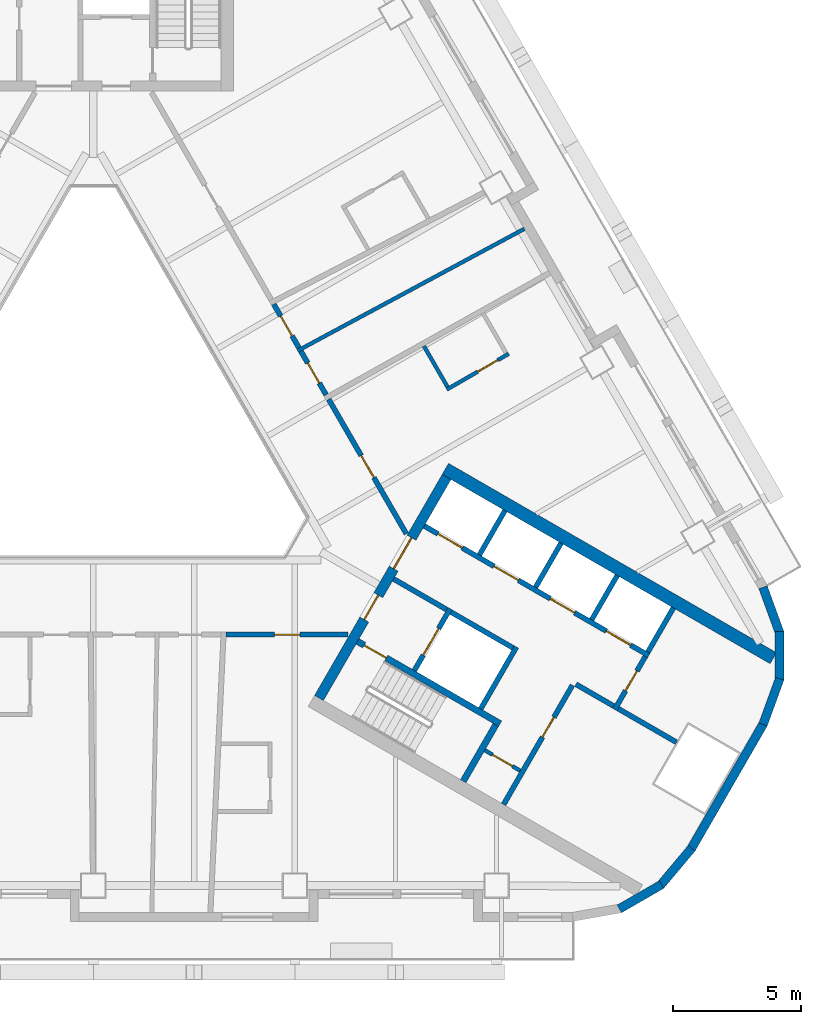
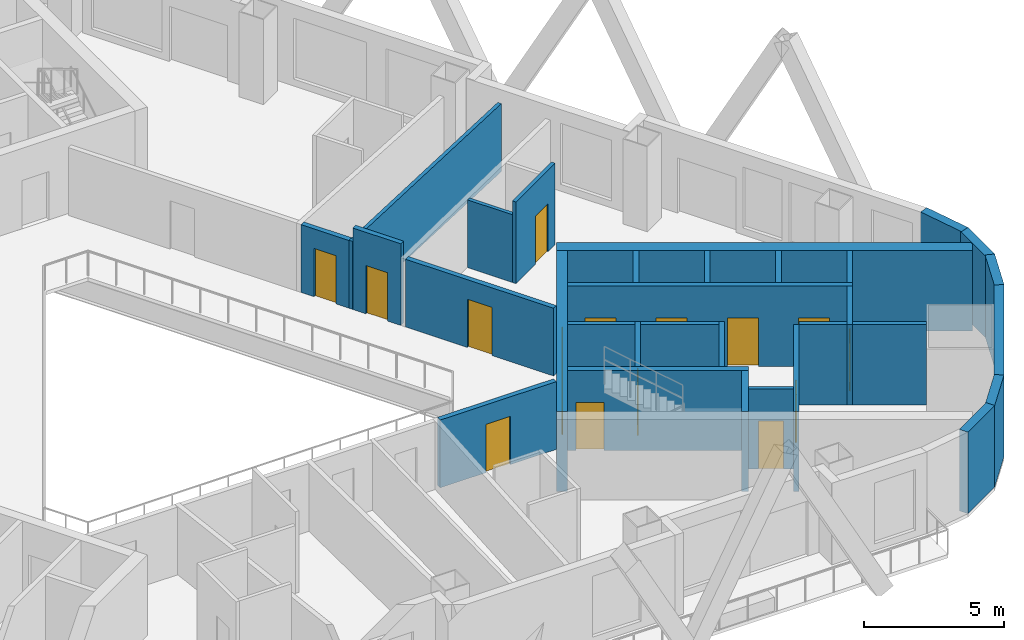
# One storey, part 5 of 14: 31 walls, 16 doors, 16 openings.
"""IFC4 building model written with IfcOpenShell, lengths in metres."""

from ifc_helpers import new_model, si_unit, direction, frame, frame_2d, origin, place, context, subcontext, project, spatial, rectangle, extrude, material, layer, layer_set, type_object, element, fill, save


model = new_model("IFC4")

# Units and contexts
model_context = context("Model", 3, precision=1e-05, world=origin(), true_north=direction((0.0, 1.0)))
body_context = subcontext(model_context, "Body", "Model", "MODEL_VIEW")
ifc_project = project(units=[si_unit("LENGTHUNIT", "METRE"), si_unit("AREAUNIT", "SQUARE_METRE"), si_unit("VOLUMEUNIT", "CUBIC_METRE"), si_unit("PLANEANGLEUNIT", "RADIAN"), si_unit("MASSUNIT", "GRAM", prefix="KILO")], contexts=[model_context])

# Site, building, storey
site_placement = place(None, origin())
site = spatial("IfcSite", under=ifc_project, at=site_placement, CompositionType="ELEMENT")
building_placement = place(site_placement, origin())
building = spatial("IfcBuilding", under=site, at=building_placement, Name="Apuvela Tower Hotel", CompositionType="ELEMENT")
storey_placement = place(building_placement, frame((0.0, 0.0, 76.10009765625)))
storey = spatial("IfcBuildingStorey", under=building, at=storey_placement, Name="L16", CompositionType="ELEMENT", Elevation=76.10009765625)

# Wall, openings, doors
ifc_material_1 = material(Name="Concrete C50/60", Category="concrete")
ifc_layer_1 = layer(ifc_material_1, 0.39990234375)
ifc_layer_set_1 = layer_set([ifc_layer_1], Name="COR-WALL-CORE-400")
wall_type_1 = type_object("IfcWallType", Name="COR-WALL-CORE-400", PredefinedType="SHEAR", material=ifc_layer_set_1)
wall_1_placement = place(storey_placement, frame((8.844970703125, -10.880126953125, 0.0), z_axis=(0.0, 0.0, 1.0), x_axis=(0.500004234368, 0.866022959057, 0.0)))
wall_1 = element("IfcWall", 1, at=wall_1_placement, inside=storey, type_object=wall_type_1, Name="Core wall SE", PredefinedType="SHEAR", context=body_context, shape_type="SweptSolid", body=[
    extrude(rectangle(XDim=10.0, YDim=0.39990234375, at=frame_2d((5.0, 0.0))), origin(), (0.0, 0.0, 1.0), 3.5),
])
opening_1_placement = place(wall_1_placement, frame((3.550048828125, 0.0, 0.0)))
opening_1 = element("IfcOpeningElement", 2, at=opening_1_placement, cuts=wall_1, Name="Opening E-FD", PredefinedType="OPENING", context=body_context, shape_type="SweptSolid", body=[
    extrude(rectangle(XDim=1.10009765625, YDim=2.10009765625, at=frame_2d((0.550048828125, 1.050048828125))), frame((0.0, 0.2099609375, 0.0), z_axis=(0.0, -1.0, 0.0), x_axis=(1.0, 0.0, 0.0)), (0.0, 0.0, 1.0), 0.419921875),
])
opening_2_placement = place(wall_1_placement, frame((5.85009765625, 0.0, 0.0)))
opening_2 = element("IfcOpeningElement", 3, at=opening_2_placement, cuts=wall_1, Name="Opening E-GD", PredefinedType="OPENING", context=body_context, shape_type="SweptSolid", body=[
    extrude(rectangle(XDim=1.39990234375, YDim=2.10009765625, at=frame_2d((0.699951171875, 1.050048828125))), frame((0.0, 0.2099609375, 0.0), z_axis=(0.0, -1.0, 0.0), x_axis=(1.0, 0.0, 0.0)), (0.0, 0.0, 1.0), 0.419921875),
])
ifc_material_2 = material(Name="Steel fire door, powder coated", Category="steel")
door_type_1 = type_object("IfcDoorType", Name="COR-FD-1100", OperationType="NOTDEFINED", PredefinedType="DOOR", material=ifc_material_2)
door_1_placement = place(opening_1_placement, frame((1.10009765625, 0.0, 0.0), z_axis=(0.0, 0.0, 1.0), x_axis=(-1.0, 0.0, 0.0)))
door_1 = element("IfcDoor", 4, at=door_1_placement, inside=storey, type_object=door_type_1, Name="Firefighting lobby door E-FD", OperationType="SINGLE_SWING_LEFT", OverallHeight=2.10009765625, OverallWidth=1.10009765625, PredefinedType="DOOR", context=body_context, shape_type="SweptSolid", body=[
    extrude(rectangle(XDim=1.10009765625, YDim=2.10009765625, at=frame_2d((0.550048828125, 1.050048828125))), frame((0.0, 0.02490234375, 0.0), z_axis=(0.0, -1.0, 0.0), x_axis=(1.0, 0.0, 0.0)), (0.0, 0.0, 1.0), 0.050048828125),
])
fill(opening_1, door_1)
ifc_material_3 = material(Name="Glazed steel fire door", Category="steel")
door_type_2 = type_object("IfcDoorType", Name="COR-GD-1400", OperationType="DOUBLE_DOOR_SINGLE_SWING", PredefinedType="DOOR", material=ifc_material_3)
door_2_placement = place(opening_2_placement, frame((1.39990234375, 0.0, 0.0), z_axis=(0.0, 0.0, 1.0), x_axis=(-1.0, 0.0, 0.0)))
door_2 = element("IfcDoor", 5, at=door_2_placement, inside=storey, type_object=door_type_2, Name="Lift lobby door E-GD", OperationType="DOUBLE_DOOR_SINGLE_SWING", OverallHeight=2.10009765625, OverallWidth=1.39990234375, PredefinedType="DOOR", context=body_context, shape_type="SweptSolid", body=[
    extrude(rectangle(XDim=1.39990234375, YDim=2.10009765625, at=frame_2d((0.699951171875, 1.050048828125))), frame((0.0, 0.02490234375, 0.0), z_axis=(0.0, -1.0, 0.0), x_axis=(1.0, 0.0, 0.0)), (0.0, 0.0, 1.0), 0.050048828125),
])
fill(opening_2, door_2)

# Wall
ifc_layer_2 = layer(ifc_material_1, 0.5)
ifc_layer_set_2 = layer_set([ifc_layer_2], Name="COR-WALL-CORE-500")
wall_type_2 = type_object("IfcWallType", Name="COR-WALL-CORE-500", PredefinedType="SHEAR", material=ifc_layer_set_2)
wall_2_placement = place(storey_placement, frame((13.796630859375, -1.9033203125, 0.0), z_axis=(0.0, 0.0, 1.0), x_axis=(0.866025009528, -0.500000682871, 0.0)))
element("IfcWall", 6, at=wall_2_placement, inside=storey, type_object=wall_type_2, Name="Core wall SE", PredefinedType="SHEAR", context=body_context, shape_type="SweptSolid", body=[
    extrude(rectangle(XDim=14.8369140625, YDim=0.5, at=frame_2d((7.41845703125, 0.0))), origin(), (0.0, 0.0, 1.0), 3.5),
])

# Wall, opening, door
ifc_material_4 = material(Name="Blockwork 150 mm plastered", Category="masonry")
ifc_layer_3 = layer(ifc_material_4, 0.14990234375)
ifc_layer_set_3 = layer_set([ifc_layer_3], Name="COR-WALL-PART-150")
wall_type_3 = type_object("IfcWallType", Name="COR-WALL-PART-150", PredefinedType="PARTITIONING", material=ifc_layer_set_3)
wall_3_placement = place(storey_placement, frame((15.341552734375, -12.927734375, 0.0), z_axis=(0.0, 0.0, 1.0), x_axis=(0.865989903783, -0.500061482766, 0.0)))
wall_3 = element("IfcWall", 7, at=wall_3_placement, inside=storey, type_object=wall_type_3, Name="Partition SE", PredefinedType="PARTITIONING", context=body_context, shape_type="SweptSolid", body=[
    extrude(rectangle(XDim=1.599853515625, YDim=0.14990234375, at=frame_2d((0.7998046875, 0.0))), origin(), (0.0, 0.0, 1.0), 3.5),
])
opening_3_placement = place(wall_3_placement, frame((0.35009765625, 0.0, 0.0)))
opening_3 = element("IfcOpeningElement", 8, at=opening_3_placement, cuts=wall_3, Name="Opening E-RD", PredefinedType="OPENING", context=body_context, shape_type="SweptSolid", body=[
    extrude(rectangle(XDim=0.89990234375, YDim=2.10009765625, at=frame_2d((0.449951171875, 1.050048828125))), frame((0.0, 0.0849609375, 0.0), z_axis=(0.0, -1.0, 0.0), x_axis=(1.0, 0.0, 0.0)), (0.0, 0.0, 1.0), 0.169921875),
])
ifc_material_5 = material(Name="Steel access door, powder coated", Category="steel")
door_type_3 = type_object("IfcDoorType", Name="COR-RD-900", OperationType="NOTDEFINED", PredefinedType="DOOR", material=ifc_material_5)
door_3_placement = place(opening_3_placement, frame((0.89990234375, 0.0, 0.0), z_axis=(0.0, 0.0, 1.0), x_axis=(-1.0, 0.0, 0.0)))
door_3 = element("IfcDoor", 9, at=door_3_placement, inside=storey, type_object=door_type_3, Name="Riser door E-RD", OperationType="SINGLE_SWING_LEFT", OverallHeight=2.10009765625, OverallWidth=0.89990234375, PredefinedType="DOOR", context=body_context, shape_type="SweptSolid", body=[
    extrude(rectangle(XDim=0.89990234375, YDim=2.10009765625, at=frame_2d((0.449951171875, 1.050048828125))), frame((0.0, 0.02490234375, 0.0), z_axis=(0.0, -1.0, 0.0), x_axis=(1.0, 0.0, 0.0)), (0.0, 0.0, 1.0), 0.050048828125),
])
fill(opening_3, door_3)

ifc_material_6 = material(Name="Blockwork 200 mm plastered", Category="masonry")
ifc_layer_4 = layer(ifc_material_6, 0.199951171875)
ifc_layer_set_4 = layer_set([ifc_layer_4], Name="COR-WALL-PART-200")
wall_type_4 = type_object("IfcWallType", Name="COR-WALL-PART-200", PredefinedType="PARTITIONING", material=ifc_layer_set_4)
wall_4_placement = place(storey_placement, frame((16.076171875, -15.05517578125, 0.0), z_axis=(0.0, 0.0, 1.0), x_axis=(0.499995103361, 0.866028230842, 0.0)))
wall_4 = element("IfcWall", 10, at=wall_4_placement, inside=storey, type_object=wall_type_4, Name="Partition SE", PredefinedType="PARTITIONING", context=body_context, shape_type="SweptSolid", body=[
    extrude(rectangle(XDim=5.39990234375, YDim=0.199951171875, at=frame_2d((2.699951171875, 0.0))), origin(), (0.0, 0.0, 1.0), 3.5),
])
opening_4_placement = place(wall_4_placement, frame((3.050048828125, 0.0, 0.0)))
opening_4 = element("IfcOpeningElement", 11, at=opening_4_placement, cuts=wall_4, Name="Opening E-RS1", PredefinedType="OPENING", context=body_context, shape_type="SweptSolid", body=[
    extrude(rectangle(XDim=0.89990234375, YDim=2.10009765625, at=frame_2d((0.449951171875, 1.050048828125))), frame((0.0, 0.10986328125, 0.0), z_axis=(0.0, -1.0, 0.0), x_axis=(1.0, 0.0, 0.0)), (0.0, 0.0, 1.0), 0.219970703125),
])
door_type_4 = type_object("IfcDoorType", Name="COR-DR-900", OperationType="NOTDEFINED", PredefinedType="DOOR", material=ifc_material_2)
door_4_placement = place(opening_4_placement, frame((0.89990234375, 0.0, 0.0), z_axis=(0.0, 0.0, 1.0), x_axis=(-1.0, 0.0, 0.0)))
door_4 = element("IfcDoor", 12, at=door_4_placement, inside=storey, type_object=door_type_4, Name="Store door E-RS1", OperationType="SINGLE_SWING_LEFT", OverallHeight=2.10009765625, OverallWidth=0.89990234375, PredefinedType="DOOR", context=body_context, shape_type="SweptSolid", body=[
    extrude(rectangle(XDim=0.89990234375, YDim=2.10009765625, at=frame_2d((0.449951171875, 1.050048828125))), frame((0.0, 0.02490234375, 0.0), z_axis=(0.0, -1.0, 0.0), x_axis=(1.0, 0.0, 0.0)), (0.0, 0.0, 1.0), 0.050048828125),
])
fill(opening_4, door_4)

# Wall
ifc_layer_5 = layer(ifc_material_1, 0.199951171875)
ifc_layer_set_5 = layer_set([ifc_layer_5], Name="COR-WALL-SHAFT-200")
wall_type_5 = type_object("IfcWallType", Name="COR-WALL-SHAFT-200", PredefinedType="SHEAR", material=ifc_layer_set_5)
wall_5_placement = place(storey_placement, frame((15.181396484375, -11.305419921875, 0.0), z_axis=(0.0, 0.0, 1.0), x_axis=(0.49994636267, 0.866056369097, 0.0)))
element("IfcWall", 13, at=wall_5_placement, inside=storey, type_object=wall_type_5, Name="Shaft wall SE", PredefinedType="SHEAR", context=body_context, shape_type="SweptSolid", body=[
    extrude(rectangle(XDim=2.800048828125, YDim=0.199951171875, at=frame_2d((1.39990234375, 0.0))), origin(), (0.0, 0.0, 1.0), 3.5),
])

# Wall, opening, door
wall_6_placement = place(storey_placement, frame((12.583251953125, -9.805419921875, 0.0), z_axis=(0.0, 0.0, 1.0), x_axis=(0.49994636267, 0.866056369097, 0.0)))
wall_6 = element("IfcWall", 14, at=wall_6_placement, inside=storey, type_object=wall_type_5, Name="Shaft wall SE", PredefinedType="SHEAR", context=body_context, shape_type="SweptSolid", body=[
    extrude(rectangle(XDim=2.800048828125, YDim=0.199951171875, at=frame_2d((1.39990234375, 0.0))), origin(), (0.0, 0.0, 1.0), 3.5),
])
opening_5_placement = place(wall_6_placement, frame((0.699951171875, 0.0, 0.0)))
opening_5 = element("IfcOpeningElement", 15, at=opening_5_placement, cuts=wall_6, Name="Opening E-LD-FS3", PredefinedType="OPENING", context=body_context, shape_type="SweptSolid", body=[
    extrude(rectangle(XDim=1.199951171875, YDim=2.10009765625, at=frame_2d((0.60009765625, 1.050048828125))), frame((0.0, 0.10986328125, 0.0), z_axis=(0.0, -1.0, 0.0), x_axis=(1.0, 0.0, 0.0)), (0.0, 0.0, 1.0), 0.219970703125),
])
ifc_material_7 = material(Name="Stainless steel lift landing door", Category="steel")
door_type_5 = type_object("IfcDoorType", Name="COR-LD-1200", OperationType="DOUBLE_DOOR_SLIDING", PredefinedType="DOOR", material=ifc_material_7)
door_5_placement = place(opening_5_placement, origin())
door_5 = element("IfcDoor", 16, at=door_5_placement, inside=storey, type_object=door_type_5, Name="Lift landing door E-LD-FS3", OperationType="DOUBLE_DOOR_SLIDING", OverallHeight=2.10009765625, OverallWidth=1.199951171875, PredefinedType="DOOR", context=body_context, shape_type="SweptSolid", body=[
    extrude(rectangle(XDim=1.199951171875, YDim=2.10009765625, at=frame_2d((0.60009765625, 1.050048828125))), frame((0.0, 0.02490234375, 0.0), z_axis=(0.0, -1.0, 0.0), x_axis=(1.0, 0.0, 0.0)), (0.0, 0.0, 1.0), 0.050048828125),
])
fill(opening_5, door_5)

# Walls
wall_7_placement = place(storey_placement, frame((11.76806640625, -6.217041015625, 0.0), z_axis=(0.0, 0.0, 1.0), x_axis=(0.866050077142, -0.499957262057, 0.0)))
element("IfcWall", 17, at=wall_7_placement, inside=storey, type_object=wall_type_5, Name="Shaft wall SE", PredefinedType="SHEAR", context=body_context, shape_type="SweptSolid", body=[
    extrude(rectangle(XDim=2.400146484375, YDim=0.199951171875, at=frame_2d((1.2001953125, 0.0))), origin(), (0.0, 0.0, 1.0), 3.5),
])
wall_8_placement = place(storey_placement, frame((14.019775390625, -7.51708984375, 0.0), z_axis=(0.0, 0.0, 1.0), x_axis=(0.866034573852, -0.49998411664, 0.0)))
element("IfcWall", 18, at=wall_8_placement, inside=storey, type_object=wall_type_5, Name="Shaft wall SE", PredefinedType="SHEAR", context=body_context, shape_type="SweptSolid", body=[
    extrude(rectangle(XDim=2.7998046875, YDim=0.199951171875, at=frame_2d((1.39990234375, 0.0))), origin(), (0.0, 0.0, 1.0), 3.5),
])

# Wall, openings, doors
wall_9_placement = place(storey_placement, frame((12.968017578125, -4.138427734375, 0.0), z_axis=(0.0, 0.0, 1.0), x_axis=(0.866028328073, -0.49999493495, 0.0)))
wall_9 = element("IfcWall", 19, at=wall_9_placement, inside=storey, type_object=wall_type_5, Name="Shaft wall SE", PredefinedType="SHEAR", context=body_context, shape_type="SweptSolid", body=[
    extrude(rectangle(XDim=10.16015625, YDim=0.199951171875, at=frame_2d((5.080078125, 0.0))), origin(), (0.0, 0.0, 1.0), 3.5),
])
opening_6_placement = place(wall_9_placement, frame((0.6201171875, 0.0, 0.0)))
opening_6 = element("IfcOpeningElement", 20, at=opening_6_placement, cuts=wall_9, Name="Opening E-LD-LR1", PredefinedType="OPENING", context=body_context, shape_type="SweptSolid", body=[
    extrude(rectangle(XDim=1.10009765625, YDim=2.10009765625, at=frame_2d((0.550048828125, 1.050048828125))), frame((0.0, 0.10986328125, 0.0), z_axis=(0.0, -1.0, 0.0), x_axis=(1.0, 0.0, 0.0)), (0.0, 0.0, 1.0), 0.219970703125),
])
opening_7_placement = place(wall_9_placement, frame((3.159912109375, 0.0, 0.0)))
opening_7 = element("IfcOpeningElement", 21, at=opening_7_placement, cuts=wall_9, Name="Opening E-LD-LR2", PredefinedType="OPENING", context=body_context, shape_type="SweptSolid", body=[
    extrude(rectangle(XDim=1.10009765625, YDim=2.10009765625, at=frame_2d((0.550048828125, 1.050048828125))), frame((0.0, 0.10986328125, 0.0), z_axis=(0.0, -1.0, 0.0), x_axis=(1.0, 0.0, 0.0)), (0.0, 0.0, 1.0), 0.219970703125),
])
opening_8_placement = place(wall_9_placement, frame((5.699951171875, 0.0, 0.0)))
opening_8 = element("IfcOpeningElement", 22, at=opening_8_placement, cuts=wall_9, Name="Opening E-LD-LR3", PredefinedType="OPENING", context=body_context, shape_type="SweptSolid", body=[
    extrude(rectangle(XDim=1.10009765625, YDim=2.10009765625, at=frame_2d((0.550048828125, 1.050048828125))), frame((0.0, 0.10986328125, 0.0), z_axis=(0.0, -1.0, 0.0), x_axis=(1.0, 0.0, 0.0)), (0.0, 0.0, 1.0), 0.219970703125),
])
opening_9_placement = place(wall_9_placement, frame((8.239990234375, 0.0, 0.0)))
opening_9 = element("IfcOpeningElement", 23, at=opening_9_placement, cuts=wall_9, Name="Opening E-LD-LR4", PredefinedType="OPENING", context=body_context, shape_type="SweptSolid", body=[
    extrude(rectangle(XDim=1.10009765625, YDim=2.10009765625, at=frame_2d((0.550048828125, 1.050048828125))), frame((0.0, 0.10986328125, 0.0), z_axis=(0.0, -1.0, 0.0), x_axis=(1.0, 0.0, 0.0)), (0.0, 0.0, 1.0), 0.219970703125),
])
door_type_6 = type_object("IfcDoorType", Name="COR-LD-1100", OperationType="DOUBLE_DOOR_SLIDING", PredefinedType="DOOR", material=ifc_material_7)
door_6_placement = place(opening_6_placement, origin())
door_6 = element("IfcDoor", 24, at=door_6_placement, inside=storey, type_object=door_type_6, Name="Lift landing door E-LD-LR1", OperationType="DOUBLE_DOOR_SLIDING", OverallHeight=2.10009765625, OverallWidth=1.10009765625, PredefinedType="DOOR", context=body_context, shape_type="SweptSolid", body=[
    extrude(rectangle(XDim=1.10009765625, YDim=2.10009765625, at=frame_2d((0.550048828125, 1.050048828125))), frame((0.0, 0.02490234375, 0.0), z_axis=(0.0, -1.0, 0.0), x_axis=(1.0, 0.0, 0.0)), (0.0, 0.0, 1.0), 0.050048828125),
])
fill(opening_6, door_6)
door_7_placement = place(opening_7_placement, origin())
door_7 = element("IfcDoor", 25, at=door_7_placement, inside=storey, type_object=door_type_6, Name="Lift landing door E-LD-LR2", OperationType="DOUBLE_DOOR_SLIDING", OverallHeight=2.10009765625, OverallWidth=1.10009765625, PredefinedType="DOOR", context=body_context, shape_type="SweptSolid", body=[
    extrude(rectangle(XDim=1.10009765625, YDim=2.10009765625, at=frame_2d((0.550048828125, 1.050048828125))), frame((0.0, 0.02490234375, 0.0), z_axis=(0.0, -1.0, 0.0), x_axis=(1.0, 0.0, 0.0)), (0.0, 0.0, 1.0), 0.050048828125),
])
fill(opening_7, door_7)
door_8_placement = place(opening_8_placement, origin())
door_8 = element("IfcDoor", 26, at=door_8_placement, inside=storey, type_object=door_type_6, Name="Lift landing door E-LD-LR3", OperationType="DOUBLE_DOOR_SLIDING", OverallHeight=2.10009765625, OverallWidth=1.10009765625, PredefinedType="DOOR", context=body_context, shape_type="SweptSolid", body=[
    extrude(rectangle(XDim=1.10009765625, YDim=2.10009765625, at=frame_2d((0.550048828125, 1.050048828125))), frame((0.0, 0.02490234375, 0.0), z_axis=(0.0, -1.0, 0.0), x_axis=(1.0, 0.0, 0.0)), (0.0, 0.0, 1.0), 0.050048828125),
])
fill(opening_8, door_8)
door_9_placement = place(opening_9_placement, origin())
door_9 = element("IfcDoor", 27, at=door_9_placement, inside=storey, type_object=door_type_6, Name="Lift landing door E-LD-LR4", OperationType="DOUBLE_DOOR_SLIDING", OverallHeight=2.10009765625, OverallWidth=1.10009765625, PredefinedType="DOOR", context=body_context, shape_type="SweptSolid", body=[
    extrude(rectangle(XDim=1.10009765625, YDim=2.10009765625, at=frame_2d((0.550048828125, 1.050048828125))), frame((0.0, 0.02490234375, 0.0), z_axis=(0.0, -1.0, 0.0), x_axis=(1.0, 0.0, 0.0)), (0.0, 0.0, 1.0), 0.050048828125),
])
fill(opening_9, door_9)

# Wall, opening, door
wall_10_placement = place(storey_placement, frame((20.430419921875, -11.33349609375, 0.0), z_axis=(0.0, 0.0, 1.0), x_axis=(0.500001309137, 0.866024647952, 0.0)))
wall_10 = element("IfcWall", 28, at=wall_10_placement, inside=storey, type_object=wall_type_5, Name="Shaft wall SE", PredefinedType="SHEAR", context=body_context, shape_type="SweptSolid", body=[
    extrude(rectangle(XDim=2.39990234375, YDim=0.199951171875, at=frame_2d((1.199951171875, 0.0))), origin(), (0.0, 0.0, 1.0), 3.5),
])
opening_10_placement = place(wall_10_placement, frame((0.85009765625, 0.0, 0.0)))
opening_10 = element("IfcOpeningElement", 29, at=opening_10_placement, cuts=wall_10, Name="Opening E-REP", PredefinedType="OPENING", context=body_context, shape_type="SweptSolid", body=[
    extrude(rectangle(XDim=0.89990234375, YDim=2.10009765625, at=frame_2d((0.449951171875, 1.050048828125))), frame((0.0, 0.10986328125, 0.0), z_axis=(0.0, -1.0, 0.0), x_axis=(1.0, 0.0, 0.0)), (0.0, 0.0, 1.0), 0.219970703125),
])
door_10_placement = place(opening_10_placement, frame((0.89990234375, 0.0, 0.0), z_axis=(0.0, 0.0, 1.0), x_axis=(-1.0, 0.0, 0.0)))
door_10 = element("IfcDoor", 30, at=door_10_placement, inside=storey, type_object=door_type_4, Name="Store door E-REP", OperationType="SINGLE_SWING_RIGHT", OverallHeight=2.10009765625, OverallWidth=0.89990234375, PredefinedType="DOOR", context=body_context, shape_type="SweptSolid", body=[
    extrude(rectangle(XDim=0.89990234375, YDim=2.10009765625, at=frame_2d((0.449951171875, 1.050048828125))), frame((0.0, 0.02490234375, 0.0), z_axis=(0.0, -1.0, 0.0), x_axis=(1.0, 0.0, 0.0)), (0.0, 0.0, 1.0), 0.050048828125),
])
fill(opening_10, door_10)

# Walls
wall_11_placement = place(storey_placement, frame((18.912841796875, -10.342041015625, 0.0), z_axis=(0.0, 0.0, 1.0), x_axis=(0.866038183914, -0.499977863513, 0.0)))
element("IfcWall", 31, at=wall_11_placement, inside=storey, type_object=wall_type_5, Name="Shaft wall SE", PredefinedType="SHEAR", context=body_context, shape_type="SweptSolid", body=[
    extrude(rectangle(XDim=1.7099609375, YDim=0.199951171875, at=frame_2d((0.85498046875, 0.0))), origin(), (0.0, 0.0, 1.0), 3.5),
])
for number, where, z_axis, x_axis, name in (
    (32, (15.131103515625, -5.27197265625, 0.0), (0.0, 0.0, 1.0), (0.499972520799, 0.866041268327, 0.0), "Shaft wall SE"),
    (33, (17.330810546875, -6.5419921875, 0.0), (0.0, 0.0, 1.0), (0.499972520799, 0.866041268327, 0.0), "Shaft wall SE"),
    (34, (19.530517578125, -7.81201171875, 0.0), (0.0, 0.0, 1.0), (0.499972520799, 0.866041268327, 0.0), "Shaft wall SE"),
    (35, (21.73046875, -9.081787109375, 0.0), (0.0, 0.0, 1.0), (0.50002537861, 0.866010750942, 0.0), "Shaft wall SE"),
):
    element("IfcWall", number, at=place(storey_placement, frame(where, z_axis=z_axis, x_axis=x_axis)), inside=storey, type_object=wall_type_5, Name=name, PredefinedType="SHEAR", context=body_context, shape_type="SweptSolid", body=[
        extrude(rectangle(XDim=2.0, YDim=0.199951171875, at=frame_2d((1.0, 0.0))), origin(), (0.0, 0.0, 1.0), 3.5),
    ])
wall_12_placement = place(storey_placement, frame((20.56689453125, -11.297119140625, 0.0), z_axis=(0.0, 0.0, 1.0), x_axis=(0.866060851709, -0.499938597367, 0.0)))
element("IfcWall", 36, at=wall_12_placement, inside=storey, type_object=wall_type_5, Name="Shaft wall SE", PredefinedType="SHEAR", context=body_context, shape_type="SweptSolid", body=[
    extrude(rectangle(XDim=2.639892578125, YDim=0.199951171875, at=frame_2d((1.31982421875, 0.0))), origin(), (0.0, 0.0, 1.0), 3.5),
])

# Wall, opening, door
ifc_layer_6 = layer(ifc_material_1, 0.25)
ifc_layer_set_6 = layer_set([ifc_layer_6], Name="COR-WALL-STAIR-250")
wall_type_6 = type_object("IfcWallType", Name="COR-WALL-STAIR-250", PredefinedType="SHEAR", material=ifc_layer_set_6)
wall_13_placement = place(storey_placement, frame((10.355712890625, -8.66357421875, 0.0), z_axis=(0.0, 0.0, 1.0), x_axis=(0.866028629588, -0.499994412703, 0.0)))
wall_13 = element("IfcWall", 37, at=wall_13_placement, inside=storey, type_object=wall_type_6, Name="Stair wall SE", PredefinedType="SHEAR", context=body_context, shape_type="SweptSolid", body=[
    extrude(rectangle(XDim=6.44970703125, YDim=0.25, at=frame_2d((3.224853515625, 0.0))), origin(), (0.0, 0.0, 1.0), 3.5),
])
opening_11_placement = place(wall_13_placement, frame((0.300048828125, 0.0, 0.0)))
opening_11 = element("IfcOpeningElement", 38, at=opening_11_placement, cuts=wall_13, Name="Opening E-SD", PredefinedType="OPENING", context=body_context, shape_type="SweptSolid", body=[
    extrude(rectangle(XDim=1.0, YDim=2.10009765625, at=frame_2d((0.5, 1.050048828125))), frame((0.0, 0.135009765625, 0.0), z_axis=(0.0, -1.0, 0.0), x_axis=(1.0, 0.0, 0.0)), (0.0, 0.0, 1.0), 0.27001953125),
])
door_type_7 = type_object("IfcDoorType", Name="COR-SD-1000", OperationType="NOTDEFINED", PredefinedType="DOOR", material=ifc_material_2)
door_11_placement = place(opening_11_placement, frame((1.0, 0.0, 0.0), z_axis=(0.0, 0.0, 1.0), x_axis=(-1.0, 0.0, 0.0)))
door_11 = element("IfcDoor", 39, at=door_11_placement, inside=storey, type_object=door_type_7, Name="Stair door E-SD", OperationType="SINGLE_SWING_LEFT", OverallHeight=2.10009765625, OverallWidth=1.0, PredefinedType="DOOR", context=body_context, shape_type="SweptSolid", body=[
    extrude(rectangle(XDim=1.0, YDim=2.10009765625, at=frame_2d((0.5, 1.050048828125))), frame((0.0, 0.02490234375, 0.0), z_axis=(0.0, -1.0, 0.0), x_axis=(1.0, 0.0, 0.0)), (0.0, 0.0, 1.0), 0.050048828125),
])
fill(opening_11, door_11)

# Walls
wall_14_placement = place(storey_placement, frame((14.49560546875, -14.142578125, 0.0), z_axis=(0.0, 0.0, 1.0), x_axis=(0.500062241894, 0.865989465428, 0.0)))
element("IfcWall", 40, at=wall_14_placement, inside=storey, type_object=wall_type_6, Name="Stair wall SE", PredefinedType="SHEAR", context=body_context, shape_type="SweptSolid", body=[
    extrude(rectangle(XDim=2.550048828125, YDim=0.25, at=frame_2d((1.27490234375, 0.0))), origin(), (0.0, 0.0, 1.0), 3.5),
])
ifc_material_8 = material(Name="Concrete C40/50, dark pigmented precast panel", Category="concrete")
ifc_layer_7 = layer(ifc_material_8, 0.35009765625)
ifc_layer_set_7 = layer_set([ifc_layer_7], Name="ENV-WALL-350")
wall_type_7 = type_object("IfcWallType", Name="ENV-WALL-350", PredefinedType="SOLIDWALL", material=ifc_layer_set_7)
for number, where, z_axis, x_axis, name in (
    (41, (20.609619140625, -19.146728515625, 0.0), (0.0, 0.0, 1.0), (0.866000389056, 0.500043324278, 0.0), "External wall L16-27"),
    (42, (22.21728515625, -18.230712890625, 0.0), (0.0, 0.0, 1.0), (0.642733291068, 0.76609001857, 0.0), "External wall L16-28"),
):
    element("IfcWall", number, at=place(storey_placement, frame(where, z_axis=z_axis, x_axis=x_axis)), inside=storey, type_object=wall_type_7, Name=name, PredefinedType="SOLIDWALL", context=body_context, shape_type="SweptSolid", body=[
        extrude(rectangle(XDim=1.909912109375, YDim=0.35009765625, at=frame_2d((0.955078125, 0.0))), origin(), (0.0, 0.0, 1.0), 3.5498046875),
    ])
wall_15_placement = place(storey_placement, frame((23.427490234375, -16.79248046875, 0.0), z_axis=(0.0, 0.0, 1.0), x_axis=(0.500018773155, 0.866014564827, 0.0)))
element("IfcWall", 43, at=wall_15_placement, inside=storey, type_object=wall_type_7, Name="External wall L16-29", PredefinedType="SOLIDWALL", context=body_context, shape_type="SweptSolid", body=[
    extrude(rectangle(XDim=5.657958984375, YDim=0.35009765625, at=frame_2d((2.8291015625, 0.0))), origin(), (0.0, 0.0, 1.0), 3.5498046875),
])
for number, where, z_axis, x_axis, name in (
    (44, (26.24365234375, -11.920166015625, 0.0), (0.0, 0.0, 1.0), (0.342030395486, 0.939688889242, 0.0), "External wall L16-30"),
    (45, (26.88623046875, -10.18505859375, 0.0), (0.0, 0.0, 1.0), (0.0, 1.0, 0.0), "External wall L16-31"),
    (46, (26.89697265625, -8.334716796875, 0.0), (0.0, 0.0, 1.0), (-0.342030395486, 0.939688889242, 0.0), "External wall L16-32"),
):
    element("IfcWall", number, at=place(storey_placement, frame(where, z_axis=z_axis, x_axis=x_axis)), inside=storey, type_object=wall_type_7, Name=name, PredefinedType="SOLIDWALL", context=body_context, shape_type="SweptSolid", body=[
        extrude(rectangle(XDim=1.91015625, YDim=0.35009765625, at=frame_2d((0.955078125, 0.0))), origin(), (0.0, 0.0, 1.0), 3.5498046875),
    ])

# Wall, opening, door
ifc_material_9 = material(Name="Gypsum board corridor wall on twin steel stud, acoustic", Category="steel")
ifc_layer_8 = layer(ifc_material_9, 0.199951171875)
ifc_layer_set_8 = layer_set([ifc_layer_8], Name="GST-PW2")
wall_type_8 = type_object("IfcWallType", Name="GST-PW2", PredefinedType="PARTITIONING", material=ifc_layer_set_8)
wall_16_placement = place(storey_placement, frame((9.98828125, -8.39990234375, 0.0), z_axis=(0.0, 0.0, 1.0), x_axis=(-1.0, 0.0, 0.0)))
wall_16 = element("IfcWall", 47, at=wall_16_placement, inside=storey, type_object=wall_type_8, Name="L16 partition 19", PredefinedType="PARTITIONING", context=body_context, shape_type="SweptSolid", body=[
    extrude(rectangle(XDim=4.783447265625, YDim=0.199951171875, at=frame_2d((2.3916015625, 0.0))), origin(), (0.0, 0.0, 1.0), 2.949951171875),
])
opening_12_placement = place(wall_16_placement, frame((1.8916015625, 0.0, 0.0)))
opening_12 = element("IfcOpeningElement", 48, at=opening_12_placement, cuts=wall_16, Name="Opening GD04-08", PredefinedType="OPENING", context=body_context, shape_type="SweptSolid", body=[
    extrude(rectangle(XDim=1.0, YDim=2.10009765625, at=frame_2d((0.5, 1.050048828125))), frame((0.0, 0.10986328125, 0.0), z_axis=(0.0, -1.0, 0.0), x_axis=(1.0, 0.0, 0.0)), (0.0, 0.0, 1.0), 0.219970703125),
])
ifc_material_10 = material(Name="Timber door leaf in steel frame", Category="steel")
door_type_8 = type_object("IfcDoorType", Name="GST-D1", OperationType="NOTDEFINED", PredefinedType="DOOR", material=ifc_material_10)
door_12_placement = place(opening_12_placement, origin())
door_12 = element("IfcDoor", 49, at=door_12_placement, inside=storey, type_object=door_type_8, Name="Door L16-08", OperationType="SINGLE_SWING_RIGHT", OverallHeight=2.10009765625, OverallWidth=1.0, PredefinedType="DOOR", context=body_context, shape_type="SweptSolid", body=[
    extrude(rectangle(XDim=1.0, YDim=2.10009765625, at=frame_2d((0.5, 1.050048828125))), frame((0.0, 0.02490234375, 0.0), z_axis=(0.0, -1.0, 0.0), x_axis=(1.0, 0.0, 0.0)), (0.0, 0.0, 1.0), 0.050048828125),
])
fill(opening_12, door_12)

wall_17_placement = place(storey_placement, frame((9.223876953125, 0.82373046875, 0.0), z_axis=(0.0, 0.0, 1.0), x_axis=(0.500019749946, -0.866014000848, 0.0)))
wall_17 = element("IfcWall", 50, at=wall_17_placement, inside=storey, type_object=wall_type_8, Name="L16 partition 23", PredefinedType="PARTITIONING", context=body_context, shape_type="SweptSolid", body=[
    extrude(rectangle(XDim=6.089599609375, YDim=0.199951171875, at=frame_2d((3.044921875, 0.0))), origin(), (0.0, 0.0, 1.0), 2.949951171875),
])
opening_13_placement = place(wall_17_placement, frame((2.544921875, 0.0, 0.0)))
opening_13 = element("IfcOpeningElement", 51, at=opening_13_placement, cuts=wall_17, Name="Opening GD04-10", PredefinedType="OPENING", context=body_context, shape_type="SweptSolid", body=[
    extrude(rectangle(XDim=1.0, YDim=2.10009765625, at=frame_2d((0.5, 1.050048828125))), frame((0.0, 0.10986328125, 0.0), z_axis=(0.0, -1.0, 0.0), x_axis=(1.0, 0.0, 0.0)), (0.0, 0.0, 1.0), 0.219970703125),
])
door_13_placement = place(opening_13_placement, origin())
door_13 = element("IfcDoor", 52, at=door_13_placement, inside=storey, type_object=door_type_8, Name="Door L16-10", OperationType="SINGLE_SWING_LEFT", OverallHeight=2.10009765625, OverallWidth=1.0, PredefinedType="DOOR", context=body_context, shape_type="SweptSolid", body=[
    extrude(rectangle(XDim=1.0, YDim=2.10009765625, at=frame_2d((0.5, 1.050048828125))), frame((0.0, 0.02490234375, 0.0), z_axis=(0.0, -1.0, 0.0), x_axis=(1.0, 0.0, 0.0)), (0.0, 0.0, 1.0), 0.050048828125),
])
fill(opening_13, door_13)

wall_18_placement = place(storey_placement, frame((8.135498046875, 2.708740234375, 0.0), z_axis=(0.0, 0.0, 1.0), x_axis=(0.499964791386, -0.866045730533, 0.0)))
wall_18 = element("IfcWall", 53, at=wall_18_placement, inside=storey, type_object=wall_type_8, Name="L16 partition 28", PredefinedType="PARTITIONING", context=body_context, shape_type="SweptSolid", body=[
    extrude(rectangle(XDim=1.976806640625, YDim=0.199951171875, at=frame_2d((0.98828125, 0.0))), origin(), (0.0, 0.0, 1.0), 3.5498046875),
])
opening_14_placement = place(wall_18_placement, frame((0.538330078125, 0.0, 0.0)))
opening_14 = element("IfcOpeningElement", 54, at=opening_14_placement, cuts=wall_18, Name="Opening GD04-11", PredefinedType="OPENING", context=body_context, shape_type="SweptSolid", body=[
    extrude(rectangle(XDim=0.89990234375, YDim=2.10009765625, at=frame_2d((0.449951171875, 1.050048828125))), frame((0.0, 0.10986328125, 0.0), z_axis=(0.0, -1.0, 0.0), x_axis=(1.0, 0.0, 0.0)), (0.0, 0.0, 1.0), 0.219970703125),
])
door_type_9 = type_object("IfcDoorType", Name="GST-D2", OperationType="NOTDEFINED", PredefinedType="DOOR", material=ifc_material_10)
door_14_placement = place(opening_14_placement, origin())
door_14 = element("IfcDoor", 55, at=door_14_placement, inside=storey, type_object=door_type_9, Name="Door L16-11", OperationType="SINGLE_SWING_LEFT", OverallHeight=2.10009765625, OverallWidth=0.89990234375, PredefinedType="DOOR", context=body_context, shape_type="SweptSolid", body=[
    extrude(rectangle(XDim=0.89990234375, YDim=2.10009765625, at=frame_2d((0.449951171875, 1.050048828125))), frame((0.0, 0.02490234375, 0.0), z_axis=(0.0, -1.0, 0.0), x_axis=(1.0, 0.0, 0.0)), (0.0, 0.0, 1.0), 0.050048828125),
])
fill(opening_14, door_14)

wall_19_placement = place(storey_placement, frame((7.072265625, 4.55029296875, 0.0), z_axis=(0.0, 0.0, 1.0), x_axis=(0.500018274647, -0.866014852655, 0.0)))
wall_19 = element("IfcWall", 56, at=wall_19_placement, inside=storey, type_object=wall_type_8, Name="L16 partition 29", PredefinedType="PARTITIONING", context=body_context, shape_type="SweptSolid", body=[
    extrude(rectangle(XDim=1.9765625, YDim=0.199951171875, at=frame_2d((0.98828125, 0.0))), origin(), (0.0, 0.0, 1.0), 2.949951171875),
])
opening_15_placement = place(wall_19_placement, frame((0.538330078125, 0.0, 0.0)))
opening_15 = element("IfcOpeningElement", 57, at=opening_15_placement, cuts=wall_19, Name="Opening GD04-12", PredefinedType="OPENING", context=body_context, shape_type="SweptSolid", body=[
    extrude(rectangle(XDim=0.89990234375, YDim=2.10009765625, at=frame_2d((0.449951171875, 1.050048828125))), frame((0.0, 0.10986328125, 0.0), z_axis=(0.0, -1.0, 0.0), x_axis=(1.0, 0.0, 0.0)), (0.0, 0.0, 1.0), 0.219970703125),
])
door_15_placement = place(opening_15_placement, origin())
door_15 = element("IfcDoor", 58, at=door_15_placement, inside=storey, type_object=door_type_9, Name="Door L16-12", OperationType="SINGLE_SWING_RIGHT", OverallHeight=2.10009765625, OverallWidth=0.89990234375, PredefinedType="DOOR", context=body_context, shape_type="SweptSolid", body=[
    extrude(rectangle(XDim=0.89990234375, YDim=2.10009765625, at=frame_2d((0.449951171875, 1.050048828125))), frame((0.0, 0.02490234375, 0.0), z_axis=(0.0, -1.0, 0.0), x_axis=(1.0, 0.0, 0.0)), (0.0, 0.0, 1.0), 0.050048828125),
])
fill(opening_15, door_15)

ifc_material_11 = material(Name="Moisture-resistant gypsum board wet wall on steel stud", Category="steel")
ifc_layer_9 = layer(ifc_material_11, 0.14990234375)
ifc_layer_set_9 = layer_set([ifc_layer_9], Name="GST-PW3")
wall_type_9 = type_object("IfcWallType", Name="GST-PW3", PredefinedType="PARTITIONING", material=ifc_layer_set_9)
wall_20_placement = place(storey_placement, frame((13.852783203125, 1.2060546875, 0.0), z_axis=(0.0, 0.0, 1.0), x_axis=(0.866056369097, 0.49994636267, 0.0)))
wall_20 = element("IfcWall", 59, at=wall_20_placement, inside=storey, type_object=wall_type_9, Name="L16 partition 24", PredefinedType="PARTITIONING", context=body_context, shape_type="SweptSolid", body=[
    extrude(rectangle(XDim=2.800048828125, YDim=0.14990234375, at=frame_2d((1.39990234375, 0.0))), origin(), (0.0, 0.0, 1.0), 3.5498046875),
])
opening_16_placement = place(wall_20_placement, frame((1.39990234375, 0.0, 0.0)))
opening_16 = element("IfcOpeningElement", 60, at=opening_16_placement, cuts=wall_20, Name="Opening GD04-09", PredefinedType="OPENING", context=body_context, shape_type="SweptSolid", body=[
    extrude(rectangle(XDim=0.89990234375, YDim=2.10009765625, at=frame_2d((0.449951171875, 1.050048828125))), frame((0.0, 0.0849609375, 0.0), z_axis=(0.0, -1.0, 0.0), x_axis=(1.0, 0.0, 0.0)), (0.0, 0.0, 1.0), 0.169921875),
])
door_16_placement = place(opening_16_placement, origin())
door_16 = element("IfcDoor", 61, at=door_16_placement, inside=storey, type_object=door_type_9, Name="Door L16-09", OperationType="SINGLE_SWING_RIGHT", OverallHeight=2.10009765625, OverallWidth=0.89990234375, PredefinedType="DOOR", context=body_context, shape_type="SweptSolid", body=[
    extrude(rectangle(XDim=0.89990234375, YDim=2.10009765625, at=frame_2d((0.449951171875, 1.050048828125))), frame((0.0, 0.02490234375, 0.0), z_axis=(0.0, -1.0, 0.0), x_axis=(1.0, 0.0, 0.0)), (0.0, 0.0, 1.0), 0.050048828125),
])
fill(opening_16, door_16)

# Walls
wall_21_placement = place(storey_placement, frame((13.88037109375, 1.308349609375, 0.0), z_axis=(0.0, 0.0, 1.0), x_axis=(-0.500015802937, 0.866016279763, 0.0)))
element("IfcWall", 62, at=wall_21_placement, inside=storey, type_object=wall_type_9, Name="L16 partition 26", PredefinedType="PARTITIONING", context=body_context, shape_type="SweptSolid", body=[
    extrude(rectangle(XDim=1.84912109375, YDim=0.14990234375, at=frame_2d((0.924560546875, 0.0))), origin(), (0.0, 0.0, 1.0), 2.949951171875),
])
wall_22_placement = place(storey_placement, frame((16.8916015625, 7.503173828125, 0.0), z_axis=(0.0, 0.0, 1.0), x_axis=(-0.88070031641, -0.473673888531, 0.0)))
element("IfcWall", 63, at=wall_22_placement, inside=storey, type_object=wall_type_9, Name="L16 partition 27", PredefinedType="PARTITIONING", context=body_context, shape_type="SweptSolid", body=[
    extrude(rectangle(XDim=10.084716796875, YDim=0.14990234375, at=frame_2d((5.04248046875, 0.0))), origin(), (0.0, 0.0, 1.0), 2.9599609375),
])

save(model, "model.ifc")
